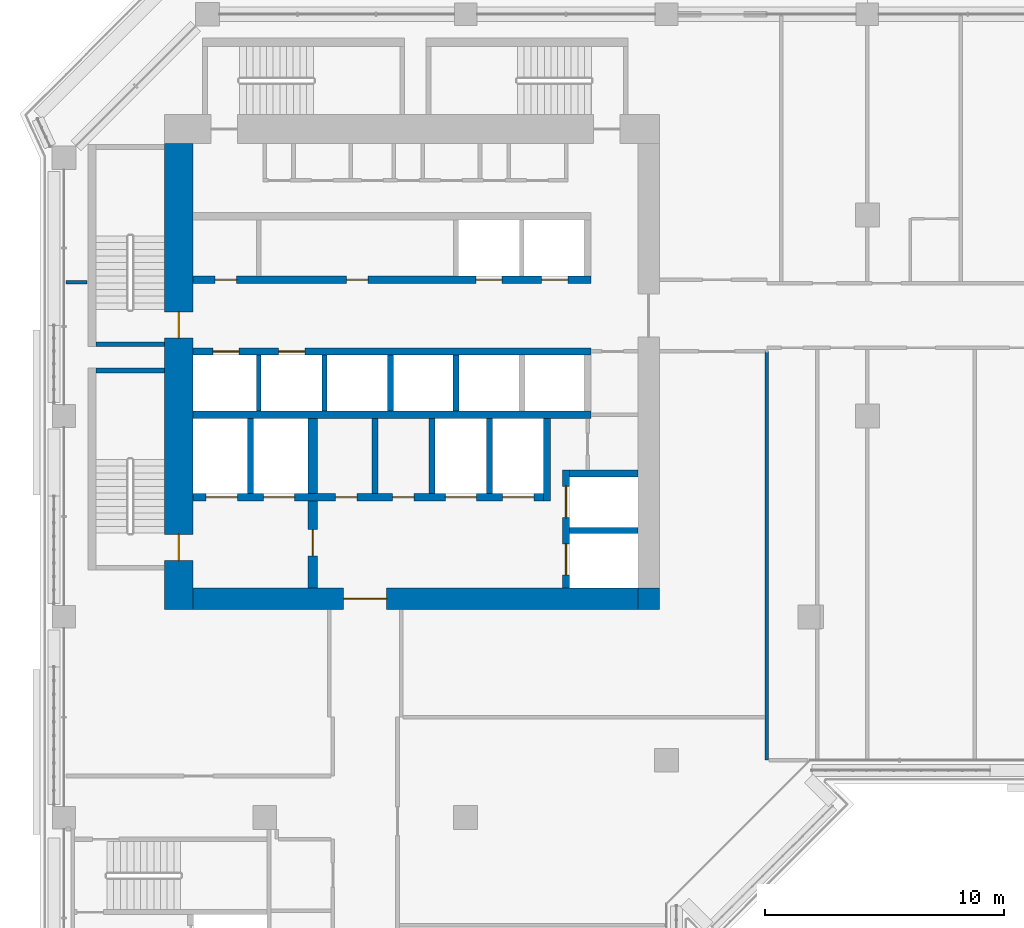
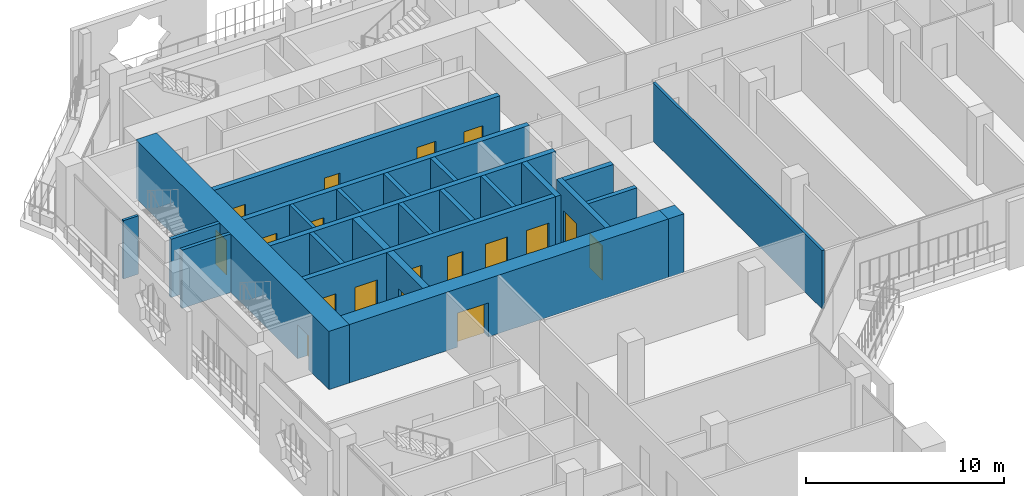
# One storey, part 11 of 23: 25 walls, 18 doors, 18 openings.
"""IFC4 building model written with IfcOpenShell, lengths in metres."""

from ifc_helpers import new_model, si_unit, direction, frame, frame_2d, origin, place, context, subcontext, project, spatial, rectangle, extrude, material, layer, layer_set, type_object, element, fill, save


model = new_model("IFC4")

# Units and contexts
model_context = context("Model", 3, precision=1e-05, world=origin(), true_north=direction((0.0, 1.0)))
body_context = subcontext(model_context, "Body", "Model", "MODEL_VIEW")
ifc_project = project(units=[si_unit("LENGTHUNIT", "METRE"), si_unit("AREAUNIT", "SQUARE_METRE"), si_unit("VOLUMEUNIT", "CUBIC_METRE"), si_unit("PLANEANGLEUNIT", "RADIAN"), si_unit("MASSUNIT", "GRAM", prefix="KILO")], contexts=[model_context])

# Site, building, storey
site_placement = place(None, origin())
site = spatial("IfcSite", under=ifc_project, at=site_placement, CompositionType="ELEMENT")
building_placement = place(site_placement, origin())
building = spatial("IfcBuilding", under=site, at=building_placement, Name="Kawkab Arch Medical Tower", CompositionType="ELEMENT")
storey_placement = place(building_placement, frame((0.0, 0.0, 175.199951171875)))
storey = spatial("IfcBuildingStorey", under=building, at=storey_placement, Name="L40", CompositionType="ELEMENT", Elevation=175.199951171875)

# Wall, openings, doors
ifc_material_1 = material(Name="Concrete C55/67", Category="concrete")
ifc_layer_1 = layer(ifc_material_1, 1.199951171875)
ifc_layer_set_1 = layer_set([ifc_layer_1], Name="Concrete C55/67")
wall_type_1 = type_object("IfcWallType", Name="Core ring wall 1200 C55/67", PredefinedType="SHEAR", material=ifc_layer_set_1)
wall_1_placement = place(storey_placement, frame((4.800048828125, -24.89990234375, 0.0), z_axis=(0.0, 0.0, 1.0), x_axis=(0.0, 1.0, 0.0)))
wall_1 = element("IfcWall", 1, at=wall_1_placement, inside=storey, type_object=wall_type_1, Name="L40 core wall", PredefinedType="SHEAR", context=body_context, shape_type="SweptSolid", body=[
    extrude(rectangle(XDim=19.5, YDim=1.199951171875, at=frame_2d((9.75, 0.0))), origin(), (0.0, 0.0, 1.0), 3.60009765625),
])
opening_1_placement = place(wall_1_placement, frame((11.35009765625, 0.0, 0.0)))
opening_1 = element("IfcOpeningElement", 2, at=opening_1_placement, cuts=wall_1, Name="Opening SD", PredefinedType="OPENING", context=body_context, shape_type="SweptSolid", body=[
    extrude(rectangle(XDim=1.10009765625, YDim=2.10009765625, at=frame_2d((0.550048828125, 1.050048828125))), frame((0.0, 0.60986328125, 0.0), z_axis=(0.0, -1.0, 0.0), x_axis=(1.0, 0.0, 0.0)), (0.0, 0.0, 1.0), 1.219970703125),
])
opening_2_placement = place(wall_1_placement, frame((2.050048828125, 0.0, 0.0)))
opening_2 = element("IfcOpeningElement", 3, at=opening_2_placement, cuts=wall_1, Name="Opening SD", PredefinedType="OPENING", context=body_context, shape_type="SweptSolid", body=[
    extrude(rectangle(XDim=1.10009765625, YDim=2.10009765625, at=frame_2d((0.550048828125, 1.050048828125))), frame((0.0, 0.60986328125, 0.0), z_axis=(0.0, -1.0, 0.0), x_axis=(1.0, 0.0, 0.0)), (0.0, 0.0, 1.0), 1.219970703125),
])
ifc_material_2 = material(Name="Hollow metal fire door leaf")
door_type_1 = type_object("IfcDoorType", Name="Exit stair door 1100", OperationType="SINGLE_SWING_LEFT", PredefinedType="DOOR", material=ifc_material_2)
door_1_placement = place(opening_1_placement, origin())
door_1 = element("IfcDoor", 4, at=door_1_placement, inside=storey, type_object=door_type_1, Name="L40 Exit stair ST1 door", OperationType="SINGLE_SWING_LEFT", OverallHeight=2.10009765625, OverallWidth=1.10009765625, PredefinedType="DOOR", context=body_context, shape_type="SweptSolid", body=[
    extrude(rectangle(XDim=1.10009765625, YDim=2.10009765625, at=frame_2d((0.550048828125, 1.050048828125))), frame((0.0, 0.02490234375, 0.0), z_axis=(0.0, -1.0, 0.0), x_axis=(1.0, 0.0, 0.0)), (0.0, 0.0, 1.0), 0.050048828125),
])
fill(opening_1, door_1)
door_2_placement = place(opening_2_placement, origin())
door_2 = element("IfcDoor", 5, at=door_2_placement, inside=storey, type_object=door_type_1, Name="L40 Exit stair ST2 door", OperationType="SINGLE_SWING_LEFT", OverallHeight=2.10009765625, OverallWidth=1.10009765625, PredefinedType="DOOR", context=body_context, shape_type="SweptSolid", body=[
    extrude(rectangle(XDim=1.10009765625, YDim=2.10009765625, at=frame_2d((0.550048828125, 1.050048828125))), frame((0.0, 0.02490234375, 0.0), z_axis=(0.0, -1.0, 0.0), x_axis=(1.0, 0.0, 0.0)), (0.0, 0.0, 1.0), 0.050048828125),
])
fill(opening_2, door_2)

# Wall, opening, door
ifc_material_3 = material(Name="Concrete C55/67", Category="concrete")
ifc_layer_2 = layer(ifc_material_3, 0.89990234375)
ifc_layer_set_2 = layer_set([ifc_layer_2], Name="Concrete C55/67")
wall_type_2 = type_object("IfcWallType", Name="Core ring wall 900 C55/67", PredefinedType="SHEAR", material=ifc_layer_set_2)
wall_2_placement = place(storey_placement, frame((5.39990234375, -24.449951171875, 0.0), z_axis=(0.0, 0.0, 1.0), x_axis=(1.0, 0.0, 0.0)))
wall_2 = element("IfcWall", 6, at=wall_2_placement, inside=storey, type_object=wall_type_2, Name="L40 core wall", PredefinedType="SHEAR", context=body_context, shape_type="SweptSolid", body=[
    extrude(rectangle(XDim=18.60009765625, YDim=0.89990234375, at=frame_2d((9.300048828125, 0.0))), origin(), (0.0, 0.0, 1.0), 3.60009765625),
])
opening_3_placement = place(wall_2_placement, frame((6.300048828125, 0.0, 0.0)))
opening_3 = element("IfcOpeningElement", 7, at=opening_3_placement, cuts=wall_2, Name="Opening PD", PredefinedType="OPENING", context=body_context, shape_type="SweptSolid", body=[
    extrude(rectangle(XDim=1.800048828125, YDim=2.10009765625, at=frame_2d((0.89990234375, 1.050048828125))), frame((0.0, 0.4599609375, 0.0), z_axis=(0.0, -1.0, 0.0), x_axis=(1.0, 0.0, 0.0)), (0.0, 0.0, 1.0), 0.919921875),
])
ifc_material_4 = material(Name="Hollow metal fire door leaf")
door_type_2 = type_object("IfcDoorType", Name="Core entrance doors 1800", OperationType="DOUBLE_DOOR_SINGLE_SWING", PredefinedType="DOOR", material=ifc_material_4)
door_3_placement = place(opening_3_placement, origin())
door_3 = element("IfcDoor", 8, at=door_3_placement, inside=storey, type_object=door_type_2, Name="L40 South entrance doors", OperationType="DOUBLE_DOOR_SINGLE_SWING", OverallHeight=2.10009765625, OverallWidth=1.800048828125, PredefinedType="DOOR", context=body_context, shape_type="SweptSolid", body=[
    extrude(rectangle(XDim=1.800048828125, YDim=2.10009765625, at=frame_2d((0.89990234375, 1.050048828125))), frame((0.0, 0.02490234375, 0.0), z_axis=(0.0, -1.0, 0.0), x_axis=(1.0, 0.0, 0.0)), (0.0, 0.0, 1.0), 0.050048828125),
])
fill(opening_3, door_3)

# Walls
wall_3_placement = place(storey_placement, frame((24.449951171875, -24.89990234375, 0.0), z_axis=(0.0, 0.0, 1.0), x_axis=(0.0, 1.0, 0.0)))
element("IfcWall", 9, at=wall_3_placement, inside=storey, type_object=wall_type_2, Name="L40 core wall", PredefinedType="SHEAR", context=body_context, shape_type="SweptSolid", body=[
    extrude(rectangle(XDim=0.89990234375, YDim=0.89990234375, at=frame_2d((0.449951171875, 0.0))), origin(), (0.0, 0.0, 1.0), 3.60009765625),
])
ifc_material_5 = material(Name="Concrete C60/75", Category="concrete")
ifc_layer_3 = layer(ifc_material_5, 0.25)
ifc_layer_set_3 = layer_set([ifc_layer_3], Name="Concrete C60/75")
wall_type_3 = type_object("IfcWallType", Name="Core shear wall 250 C60/75", PredefinedType="SHEAR", material=ifc_layer_set_3)
wall_4_placement = place(storey_placement, frame((21.14990234375, -21.60009765625, 0.0), z_axis=(0.0, 0.0, 1.0), x_axis=(1.0, 0.0, 0.0)))
element("IfcWall", 10, at=wall_4_placement, inside=storey, type_object=wall_type_3, Name="L40 core shear wall", PredefinedType="SHEAR", context=body_context, shape_type="SweptSolid", body=[
    extrude(rectangle(XDim=2.85009765625, YDim=0.25, at=frame_2d((1.425048828125, 0.0))), origin(), (0.0, 0.0, 1.0), 3.60009765625),
])
for number, where, z_axis, x_axis, name in (
    (11, (7.800048828125, -20.050048828125, 0.0), (0.0, 0.0, 1.0), (0.0, 1.0, 0.0), "L40 core shear wall"),
    (12, (13.0, -20.050048828125, 0.0), (0.0, 0.0, 1.0), (0.0, 1.0, 0.0), "L40 core shear wall"),
    (13, (15.39990234375, -20.050048828125, 0.0), (0.0, 0.0, 1.0), (0.0, 1.0, 0.0), "L40 core shear wall"),
    (14, (17.800048828125, -20.050048828125, 0.0), (0.0, 0.0, 1.0), (0.0, 1.0, 0.0), "L40 core shear wall"),
):
    element("IfcWall", number, at=place(storey_placement, frame(where, z_axis=z_axis, x_axis=x_axis)), inside=storey, type_object=wall_type_3, Name=name, PredefinedType="SHEAR", context=body_context, shape_type="SweptSolid", body=[
        extrude(rectangle(XDim=3.150146484375, YDim=0.25, at=frame_2d((1.5751953125, 0.0))), origin(), (0.0, 0.0, 1.0), 3.60009765625),
    ])
for number, where, z_axis, x_axis, name in (
    (15, (13.64990234375, -16.60009765625, 0.0), (0.0, 0.0, 1.0), (0.0, 1.0, 0.0), "L40 core shear wall"),
    (16, (16.39990234375, -16.60009765625, 0.0), (0.0, 0.0, 1.0), (0.0, 1.0, 0.0), "L40 core shear wall"),
):
    element("IfcWall", number, at=place(storey_placement, frame(where, z_axis=z_axis, x_axis=x_axis)), inside=storey, type_object=wall_type_3, Name=name, PredefinedType="SHEAR", context=body_context, shape_type="SweptSolid", body=[
        extrude(rectangle(XDim=2.35009765625, YDim=0.25, at=frame_2d((1.175048828125, 0.0))), origin(), (0.0, 0.0, 1.0), 3.60009765625),
    ])

# Wall, openings, doors
ifc_material_6 = material(Name="Concrete C60/75", Category="concrete")
ifc_layer_4 = layer(ifc_material_6, 0.300048828125)
ifc_layer_set_4 = layer_set([ifc_layer_4], Name="Concrete C60/75")
wall_type_4 = type_object("IfcWallType", Name="Core shear wall 300 C60/75", PredefinedType="SHEAR", material=ifc_layer_set_4)
wall_5_placement = place(storey_placement, frame((5.39990234375, -11.10009765625, 0.0), z_axis=(0.0, 0.0, 1.0), x_axis=(1.0, 0.0, 0.0)))
wall_5 = element("IfcWall", 17, at=wall_5_placement, inside=storey, type_object=wall_type_4, Name="L40 core shear wall", PredefinedType="SHEAR", context=body_context, shape_type="SweptSolid", body=[
    extrude(rectangle(XDim=16.650146484375, YDim=0.300048828125, at=frame_2d((8.3251953125, 0.0))), origin(), (0.0, 0.0, 1.0), 3.60009765625),
])
opening_4_placement = place(wall_5_placement, frame((11.824951171875, 0.0, 0.0)))
opening_4 = element("IfcOpeningElement", 18, at=opening_4_placement, cuts=wall_5, Name="Opening LD1", PredefinedType="OPENING", context=body_context, shape_type="SweptSolid", body=[
    extrude(rectangle(XDim=1.10009765625, YDim=2.10009765625, at=frame_2d((0.550048828125, 1.050048828125))), frame((0.0, 0.159912109375, 0.0), z_axis=(0.0, -1.0, 0.0), x_axis=(1.0, 0.0, 0.0)), (0.0, 0.0, 1.0), 0.320068359375),
])
opening_5_placement = place(wall_5_placement, frame((14.574951171875, 0.0, 0.0)))
opening_5 = element("IfcOpeningElement", 19, at=opening_5_placement, cuts=wall_5, Name="Opening LD1", PredefinedType="OPENING", context=body_context, shape_type="SweptSolid", body=[
    extrude(rectangle(XDim=1.10009765625, YDim=2.10009765625, at=frame_2d((0.550048828125, 1.050048828125))), frame((0.0, 0.159912109375, 0.0), z_axis=(0.0, -1.0, 0.0), x_axis=(1.0, 0.0, 0.0)), (0.0, 0.0, 1.0), 0.320068359375),
])
opening_6_placement = place(wall_5_placement, frame((0.925048828125, 0.0, 0.0)))
opening_6 = element("IfcOpeningElement", 20, at=opening_6_placement, cuts=wall_5, Name="Opening RD", PredefinedType="OPENING", context=body_context, shape_type="SweptSolid", body=[
    extrude(rectangle(XDim=0.89990234375, YDim=2.10009765625, at=frame_2d((0.449951171875, 1.050048828125))), frame((0.0, 0.159912109375, 0.0), z_axis=(0.0, -1.0, 0.0), x_axis=(1.0, 0.0, 0.0)), (0.0, 0.0, 1.0), 0.320068359375),
])
opening_7_placement = place(wall_5_placement, frame((6.425048828125, 0.0, 0.0)))
opening_7 = element("IfcOpeningElement", 21, at=opening_7_placement, cuts=wall_5, Name="Opening RD", PredefinedType="OPENING", context=body_context, shape_type="SweptSolid", body=[
    extrude(rectangle(XDim=0.89990234375, YDim=2.10009765625, at=frame_2d((0.449951171875, 1.050048828125))), frame((0.0, 0.159912109375, 0.0), z_axis=(0.0, -1.0, 0.0), x_axis=(1.0, 0.0, 0.0)), (0.0, 0.0, 1.0), 0.320068359375),
])
ifc_material_7 = material(Name="Hollow metal fire door leaf")
door_type_3 = type_object("IfcDoorType", Name="Core room door 900", OperationType="SINGLE_SWING_LEFT", PredefinedType="DOOR", material=ifc_material_7)
door_4_placement = place(opening_6_placement, origin())
door_4 = element("IfcDoor", 22, at=door_4_placement, inside=storey, type_object=door_type_3, Name="L40 Linen store door", OperationType="SINGLE_SWING_LEFT", OverallHeight=2.10009765625, OverallWidth=0.89990234375, PredefinedType="DOOR", context=body_context, shape_type="SweptSolid", body=[
    extrude(rectangle(XDim=0.89990234375, YDim=2.10009765625, at=frame_2d((0.449951171875, 1.050048828125))), frame((0.0, 0.02490234375, 0.0), z_axis=(0.0, -1.0, 0.0), x_axis=(1.0, 0.0, 0.0)), (0.0, 0.0, 1.0), 0.050048828125),
])
fill(opening_6, door_4)
door_5_placement = place(opening_7_placement, origin())
door_5 = element("IfcDoor", 23, at=door_5_placement, inside=storey, type_object=door_type_3, Name="L40 Housekeeping store door", OperationType="SINGLE_SWING_LEFT", OverallHeight=2.10009765625, OverallWidth=0.89990234375, PredefinedType="DOOR", context=body_context, shape_type="SweptSolid", body=[
    extrude(rectangle(XDim=0.89990234375, YDim=2.10009765625, at=frame_2d((0.449951171875, 1.050048828125))), frame((0.0, 0.02490234375, 0.0), z_axis=(0.0, -1.0, 0.0), x_axis=(1.0, 0.0, 0.0)), (0.0, 0.0, 1.0), 0.050048828125),
])
fill(opening_7, door_5)
ifc_material_8 = material(Name="Stainless steel lift door leaf", Category="steel")
door_type_4 = type_object("IfcDoorType", Name="Lift landing door 1100", OperationType="DOUBLE_DOOR_SLIDING", PredefinedType="DOOR", material=ifc_material_8)
door_6_placement = place(opening_4_placement, origin())
door_6 = element("IfcDoor", 24, at=door_6_placement, inside=storey, type_object=door_type_4, Name="L40 Lift landing door MP1", OperationType="DOUBLE_DOOR_SLIDING", OverallHeight=2.10009765625, OverallWidth=1.10009765625, PredefinedType="DOOR", context=body_context, shape_type="SweptSolid", body=[
    extrude(rectangle(XDim=1.10009765625, YDim=2.10009765625, at=frame_2d((0.550048828125, 1.050048828125))), frame((0.0, 0.02490234375, 0.0), z_axis=(0.0, -1.0, 0.0), x_axis=(1.0, 0.0, 0.0)), (0.0, 0.0, 1.0), 0.050048828125),
])
fill(opening_4, door_6)
door_7_placement = place(opening_5_placement, origin())
door_7 = element("IfcDoor", 25, at=door_7_placement, inside=storey, type_object=door_type_4, Name="L40 Lift landing door MP2", OperationType="DOUBLE_DOOR_SLIDING", OverallHeight=2.10009765625, OverallWidth=1.10009765625, PredefinedType="DOOR", context=body_context, shape_type="SweptSolid", body=[
    extrude(rectangle(XDim=1.10009765625, YDim=2.10009765625, at=frame_2d((0.550048828125, 1.050048828125))), frame((0.0, 0.02490234375, 0.0), z_axis=(0.0, -1.0, 0.0), x_axis=(1.0, 0.0, 0.0)), (0.0, 0.0, 1.0), 0.050048828125),
])
fill(opening_5, door_7)

wall_6_placement = place(storey_placement, frame((5.39990234375, -14.10009765625, 0.0), z_axis=(0.0, 0.0, 1.0), x_axis=(1.0, 0.0, 0.0)))
wall_6 = element("IfcWall", 26, at=wall_6_placement, inside=storey, type_object=wall_type_4, Name="L40 core shear wall", PredefinedType="SHEAR", context=body_context, shape_type="SweptSolid", body=[
    extrude(rectangle(XDim=16.650146484375, YDim=0.300048828125, at=frame_2d((8.3251953125, 0.0))), origin(), (0.0, 0.0, 1.0), 3.60009765625),
])
opening_8_placement = place(wall_6_placement, frame((0.824951171875, 0.0, 0.0)))
opening_8 = element("IfcOpeningElement", 27, at=opening_8_placement, cuts=wall_6, Name="Opening LD1", PredefinedType="OPENING", context=body_context, shape_type="SweptSolid", body=[
    extrude(rectangle(XDim=1.10009765625, YDim=2.10009765625, at=frame_2d((0.550048828125, 1.050048828125))), frame((0.0, 0.159912109375, 0.0), z_axis=(0.0, -1.0, 0.0), x_axis=(1.0, 0.0, 0.0)), (0.0, 0.0, 1.0), 0.320068359375),
])
opening_9_placement = place(wall_6_placement, frame((3.574951171875, 0.0, 0.0)))
opening_9 = element("IfcOpeningElement", 28, at=opening_9_placement, cuts=wall_6, Name="Opening LD1", PredefinedType="OPENING", context=body_context, shape_type="SweptSolid", body=[
    extrude(rectangle(XDim=1.10009765625, YDim=2.10009765625, at=frame_2d((0.550048828125, 1.050048828125))), frame((0.0, 0.159912109375, 0.0), z_axis=(0.0, -1.0, 0.0), x_axis=(1.0, 0.0, 0.0)), (0.0, 0.0, 1.0), 0.320068359375),
])
door_8_placement = place(opening_8_placement, origin())
door_8 = element("IfcDoor", 29, at=door_8_placement, inside=storey, type_object=door_type_4, Name="L40 Lift landing door MP3", OperationType="DOUBLE_DOOR_SLIDING", OverallHeight=2.10009765625, OverallWidth=1.10009765625, PredefinedType="DOOR", context=body_context, shape_type="SweptSolid", body=[
    extrude(rectangle(XDim=1.10009765625, YDim=2.10009765625, at=frame_2d((0.550048828125, 1.050048828125))), frame((0.0, 0.02490234375, 0.0), z_axis=(0.0, -1.0, 0.0), x_axis=(1.0, 0.0, 0.0)), (0.0, 0.0, 1.0), 0.050048828125),
])
fill(opening_8, door_8)
door_9_placement = place(opening_9_placement, origin())
door_9 = element("IfcDoor", 30, at=door_9_placement, inside=storey, type_object=door_type_4, Name="L40 Lift landing door MP4", OperationType="DOUBLE_DOOR_SLIDING", OverallHeight=2.10009765625, OverallWidth=1.10009765625, PredefinedType="DOOR", context=body_context, shape_type="SweptSolid", body=[
    extrude(rectangle(XDim=1.10009765625, YDim=2.10009765625, at=frame_2d((0.550048828125, 1.050048828125))), frame((0.0, 0.02490234375, 0.0), z_axis=(0.0, -1.0, 0.0), x_axis=(1.0, 0.0, 0.0)), (0.0, 0.0, 1.0), 0.050048828125),
])
fill(opening_9, door_9)

# Wall
wall_7_placement = place(storey_placement, frame((5.39990234375, -16.75, 0.0), z_axis=(0.0, 0.0, 1.0), x_axis=(1.0, 0.0, 0.0)))
element("IfcWall", 31, at=wall_7_placement, inside=storey, type_object=wall_type_4, Name="L40 core shear wall", PredefinedType="SHEAR", context=body_context, shape_type="SweptSolid", body=[
    extrude(rectangle(XDim=16.650146484375, YDim=0.300048828125, at=frame_2d((8.3251953125, 0.0))), origin(), (0.0, 0.0, 1.0), 3.60009765625),
])

# Wall, openings, doors
wall_8_placement = place(storey_placement, frame((5.39990234375, -20.199951171875, 0.0), z_axis=(0.0, 0.0, 1.0), x_axis=(1.0, 0.0, 0.0)))
wall_8 = element("IfcWall", 32, at=wall_8_placement, inside=storey, type_object=wall_type_4, Name="L40 core shear wall", PredefinedType="SHEAR", context=body_context, shape_type="SweptSolid", body=[
    extrude(rectangle(XDim=14.650146484375, YDim=0.300048828125, at=frame_2d((7.3251953125, 0.0))), origin(), (0.0, 0.0, 1.0), 3.60009765625),
])
opening_10_placement = place(wall_8_placement, frame((10.550048828125, 0.0, 0.0)))
opening_10 = element("IfcOpeningElement", 33, at=opening_10_placement, cuts=wall_8, Name="Opening LD2", PredefinedType="OPENING", context=body_context, shape_type="SweptSolid", body=[
    extrude(rectangle(XDim=1.300048828125, YDim=2.10009765625, at=frame_2d((0.64990234375, 1.050048828125))), frame((0.0, 0.159912109375, 0.0), z_axis=(0.0, -1.0, 0.0), x_axis=(1.0, 0.0, 0.0)), (0.0, 0.0, 1.0), 0.320068359375),
])
opening_11_placement = place(wall_8_placement, frame((12.949951171875, 0.0, 0.0)))
opening_11 = element("IfcOpeningElement", 34, at=opening_11_placement, cuts=wall_8, Name="Opening LD2", PredefinedType="OPENING", context=body_context, shape_type="SweptSolid", body=[
    extrude(rectangle(XDim=1.300048828125, YDim=2.10009765625, at=frame_2d((0.64990234375, 1.050048828125))), frame((0.0, 0.159912109375, 0.0), z_axis=(0.0, -1.0, 0.0), x_axis=(1.0, 0.0, 0.0)), (0.0, 0.0, 1.0), 0.320068359375),
])
opening_12_placement = place(wall_8_placement, frame((0.550048828125, 0.0, 0.0)))
opening_12 = element("IfcOpeningElement", 35, at=opening_12_placement, cuts=wall_8, Name="Opening LD2", PredefinedType="OPENING", context=body_context, shape_type="SweptSolid", body=[
    extrude(rectangle(XDim=1.300048828125, YDim=2.10009765625, at=frame_2d((0.64990234375, 1.050048828125))), frame((0.0, 0.159912109375, 0.0), z_axis=(0.0, -1.0, 0.0), x_axis=(1.0, 0.0, 0.0)), (0.0, 0.0, 1.0), 0.320068359375),
])
opening_13_placement = place(wall_8_placement, frame((2.949951171875, 0.0, 0.0)))
opening_13 = element("IfcOpeningElement", 36, at=opening_13_placement, cuts=wall_8, Name="Opening LD2", PredefinedType="OPENING", context=body_context, shape_type="SweptSolid", body=[
    extrude(rectangle(XDim=1.300048828125, YDim=2.10009765625, at=frame_2d((0.64990234375, 1.050048828125))), frame((0.0, 0.159912109375, 0.0), z_axis=(0.0, -1.0, 0.0), x_axis=(1.0, 0.0, 0.0)), (0.0, 0.0, 1.0), 0.320068359375),
])
opening_14_placement = place(wall_8_placement, frame((5.949951171875, 0.0, 0.0)))
opening_14 = element("IfcOpeningElement", 37, at=opening_14_placement, cuts=wall_8, Name="Opening RD", PredefinedType="OPENING", context=body_context, shape_type="SweptSolid", body=[
    extrude(rectangle(XDim=0.89990234375, YDim=2.10009765625, at=frame_2d((0.449951171875, 1.050048828125))), frame((0.0, 0.159912109375, 0.0), z_axis=(0.0, -1.0, 0.0), x_axis=(1.0, 0.0, 0.0)), (0.0, 0.0, 1.0), 0.320068359375),
])
opening_15_placement = place(wall_8_placement, frame((8.35009765625, 0.0, 0.0)))
opening_15 = element("IfcOpeningElement", 38, at=opening_15_placement, cuts=wall_8, Name="Opening RD", PredefinedType="OPENING", context=body_context, shape_type="SweptSolid", body=[
    extrude(rectangle(XDim=0.89990234375, YDim=2.10009765625, at=frame_2d((0.449951171875, 1.050048828125))), frame((0.0, 0.159912109375, 0.0), z_axis=(0.0, -1.0, 0.0), x_axis=(1.0, 0.0, 0.0)), (0.0, 0.0, 1.0), 0.320068359375),
])
door_10_placement = place(opening_14_placement, origin())
door_10 = element("IfcDoor", 39, at=door_10_placement, inside=storey, type_object=door_type_3, Name="L40 Clean utility room door", OperationType="SINGLE_SWING_LEFT", OverallHeight=2.10009765625, OverallWidth=0.89990234375, PredefinedType="DOOR", context=body_context, shape_type="SweptSolid", body=[
    extrude(rectangle(XDim=0.89990234375, YDim=2.10009765625, at=frame_2d((0.449951171875, 1.050048828125))), frame((0.0, 0.02490234375, 0.0), z_axis=(0.0, -1.0, 0.0), x_axis=(1.0, 0.0, 0.0)), (0.0, 0.0, 1.0), 0.050048828125),
])
fill(opening_14, door_10)
door_11_placement = place(opening_15_placement, origin())
door_11 = element("IfcDoor", 40, at=door_11_placement, inside=storey, type_object=door_type_3, Name="L40 Dirty utility room door", OperationType="SINGLE_SWING_LEFT", OverallHeight=2.10009765625, OverallWidth=0.89990234375, PredefinedType="DOOR", context=body_context, shape_type="SweptSolid", body=[
    extrude(rectangle(XDim=0.89990234375, YDim=2.10009765625, at=frame_2d((0.449951171875, 1.050048828125))), frame((0.0, 0.02490234375, 0.0), z_axis=(0.0, -1.0, 0.0), x_axis=(1.0, 0.0, 0.0)), (0.0, 0.0, 1.0), 0.050048828125),
])
fill(opening_15, door_11)
ifc_material_9 = material(Name="Stainless steel lift door leaf", Category="steel")
door_type_5 = type_object("IfcDoorType", Name="Lift landing door 1300", OperationType="DOUBLE_DOOR_SLIDING", PredefinedType="DOOR", material=ifc_material_9)
door_12_placement = place(opening_10_placement, origin())
door_12 = element("IfcDoor", 41, at=door_12_placement, inside=storey, type_object=door_type_5, Name="L40 Lift landing door BD3", OperationType="DOUBLE_DOOR_SLIDING", OverallHeight=2.10009765625, OverallWidth=1.300048828125, PredefinedType="DOOR", context=body_context, shape_type="SweptSolid", body=[
    extrude(rectangle(XDim=1.300048828125, YDim=2.10009765625, at=frame_2d((0.64990234375, 1.050048828125))), frame((0.0, 0.02490234375, 0.0), z_axis=(0.0, -1.0, 0.0), x_axis=(1.0, 0.0, 0.0)), (0.0, 0.0, 1.0), 0.050048828125),
])
fill(opening_10, door_12)
door_13_placement = place(opening_11_placement, origin())
door_13 = element("IfcDoor", 42, at=door_13_placement, inside=storey, type_object=door_type_5, Name="L40 Lift landing door BD4", OperationType="DOUBLE_DOOR_SLIDING", OverallHeight=2.10009765625, OverallWidth=1.300048828125, PredefinedType="DOOR", context=body_context, shape_type="SweptSolid", body=[
    extrude(rectangle(XDim=1.300048828125, YDim=2.10009765625, at=frame_2d((0.64990234375, 1.050048828125))), frame((0.0, 0.02490234375, 0.0), z_axis=(0.0, -1.0, 0.0), x_axis=(1.0, 0.0, 0.0)), (0.0, 0.0, 1.0), 0.050048828125),
])
fill(opening_11, door_13)
door_14_placement = place(opening_12_placement, origin())
door_14 = element("IfcDoor", 43, at=door_14_placement, inside=storey, type_object=door_type_5, Name="L40 Lift landing door FL1", OperationType="DOUBLE_DOOR_SLIDING", OverallHeight=2.10009765625, OverallWidth=1.300048828125, PredefinedType="DOOR", context=body_context, shape_type="SweptSolid", body=[
    extrude(rectangle(XDim=1.300048828125, YDim=2.10009765625, at=frame_2d((0.64990234375, 1.050048828125))), frame((0.0, 0.02490234375, 0.0), z_axis=(0.0, -1.0, 0.0), x_axis=(1.0, 0.0, 0.0)), (0.0, 0.0, 1.0), 0.050048828125),
])
fill(opening_12, door_14)
door_15_placement = place(opening_13_placement, origin())
door_15 = element("IfcDoor", 44, at=door_15_placement, inside=storey, type_object=door_type_5, Name="L40 Lift landing door FL2", OperationType="DOUBLE_DOOR_SLIDING", OverallHeight=2.10009765625, OverallWidth=1.300048828125, PredefinedType="DOOR", context=body_context, shape_type="SweptSolid", body=[
    extrude(rectangle(XDim=1.300048828125, YDim=2.10009765625, at=frame_2d((0.64990234375, 1.050048828125))), frame((0.0, 0.02490234375, 0.0), z_axis=(0.0, -1.0, 0.0), x_axis=(1.0, 0.0, 0.0)), (0.0, 0.0, 1.0), 0.050048828125),
])
fill(opening_13, door_15)

# Walls
wall_9_placement = place(storey_placement, frame((20.199951171875, -20.35009765625, 0.0), z_axis=(0.0, 0.0, 1.0), x_axis=(0.0, 1.0, 0.0)))
element("IfcWall", 45, at=wall_9_placement, inside=storey, type_object=wall_type_4, Name="L40 core shear wall", PredefinedType="SHEAR", context=body_context, shape_type="SweptSolid", body=[
    extrude(rectangle(XDim=3.4501953125, YDim=0.300048828125, at=frame_2d((1.72509765625, 0.0))), origin(), (0.0, 0.0, 1.0), 3.60009765625),
])
wall_10_placement = place(storey_placement, frame((21.14990234375, -19.199951171875, 0.0), z_axis=(0.0, 0.0, 1.0), x_axis=(1.0, 0.0, 0.0)))
element("IfcWall", 46, at=wall_10_placement, inside=storey, type_object=wall_type_4, Name="L40 core shear wall", PredefinedType="SHEAR", context=body_context, shape_type="SweptSolid", body=[
    extrude(rectangle(XDim=2.85009765625, YDim=0.300048828125, at=frame_2d((1.425048828125, 0.0))), origin(), (0.0, 0.0, 1.0), 3.60009765625),
])

# Wall, openings, doors
wall_11_placement = place(storey_placement, frame((21.0, -24.0, 0.0), z_axis=(0.0, 0.0, 1.0), x_axis=(0.0, 1.0, 0.0)))
wall_11 = element("IfcWall", 47, at=wall_11_placement, inside=storey, type_object=wall_type_4, Name="L40 core shear wall", PredefinedType="SHEAR", context=body_context, shape_type="SweptSolid", body=[
    extrude(rectangle(XDim=4.949951171875, YDim=0.300048828125, at=frame_2d((2.47509765625, 0.0))), origin(), (0.0, 0.0, 1.0), 3.60009765625),
])
opening_16_placement = place(wall_11_placement, frame((2.949951171875, 0.0, 0.0)))
opening_16 = element("IfcOpeningElement", 48, at=opening_16_placement, cuts=wall_11, Name="Opening LD2", PredefinedType="OPENING", context=body_context, shape_type="SweptSolid", body=[
    extrude(rectangle(XDim=1.300048828125, YDim=2.10009765625, at=frame_2d((0.64990234375, 1.050048828125))), frame((0.0, 0.159912109375, 0.0), z_axis=(0.0, -1.0, 0.0), x_axis=(1.0, 0.0, 0.0)), (0.0, 0.0, 1.0), 0.320068359375),
])
opening_17_placement = place(wall_11_placement, frame((0.550048828125, 0.0, 0.0)))
opening_17 = element("IfcOpeningElement", 49, at=opening_17_placement, cuts=wall_11, Name="Opening LD2", PredefinedType="OPENING", context=body_context, shape_type="SweptSolid", body=[
    extrude(rectangle(XDim=1.300048828125, YDim=2.10009765625, at=frame_2d((0.64990234375, 1.050048828125))), frame((0.0, 0.159912109375, 0.0), z_axis=(0.0, -1.0, 0.0), x_axis=(1.0, 0.0, 0.0)), (0.0, 0.0, 1.0), 0.320068359375),
])
door_16_placement = place(opening_16_placement, origin())
door_16 = element("IfcDoor", 50, at=door_16_placement, inside=storey, type_object=door_type_5, Name="L40 Lift landing door BD1", OperationType="DOUBLE_DOOR_SLIDING", OverallHeight=2.10009765625, OverallWidth=1.300048828125, PredefinedType="DOOR", context=body_context, shape_type="SweptSolid", body=[
    extrude(rectangle(XDim=1.300048828125, YDim=2.10009765625, at=frame_2d((0.64990234375, 1.050048828125))), frame((0.0, 0.02490234375, 0.0), z_axis=(0.0, -1.0, 0.0), x_axis=(1.0, 0.0, 0.0)), (0.0, 0.0, 1.0), 0.050048828125),
])
fill(opening_16, door_16)
door_17_placement = place(opening_17_placement, origin())
door_17 = element("IfcDoor", 51, at=door_17_placement, inside=storey, type_object=door_type_5, Name="L40 Lift landing door BD2", OperationType="DOUBLE_DOOR_SLIDING", OverallHeight=2.10009765625, OverallWidth=1.300048828125, PredefinedType="DOOR", context=body_context, shape_type="SweptSolid", body=[
    extrude(rectangle(XDim=1.300048828125, YDim=2.10009765625, at=frame_2d((0.64990234375, 1.050048828125))), frame((0.0, 0.02490234375, 0.0), z_axis=(0.0, -1.0, 0.0), x_axis=(1.0, 0.0, 0.0)), (0.0, 0.0, 1.0), 0.050048828125),
])
fill(opening_17, door_17)

# Wall, opening, door
ifc_material_10 = material(Name="Concrete C60/75", Category="concrete")
ifc_layer_5 = layer(ifc_material_10, 0.39990234375)
ifc_layer_set_5 = layer_set([ifc_layer_5], Name="Concrete C60/75")
wall_type_5 = type_object("IfcWallType", Name="Core shear wall 400 C60/75", PredefinedType="SHEAR", material=ifc_layer_set_5)
wall_12_placement = place(storey_placement, frame((10.39990234375, -24.0, 0.0), z_axis=(0.0, 0.0, 1.0), x_axis=(0.0, 1.0, 0.0)))
wall_12 = element("IfcWall", 52, at=wall_12_placement, inside=storey, type_object=wall_type_5, Name="L40 core shear wall", PredefinedType="SHEAR", context=body_context, shape_type="SweptSolid", body=[
    extrude(rectangle(XDim=3.64990234375, YDim=0.39990234375, at=frame_2d((1.824951171875, 0.0))), origin(), (0.0, 0.0, 1.0), 3.60009765625),
])
opening_18_placement = place(wall_12_placement, frame((1.35009765625, 0.0, 0.0)))
opening_18 = element("IfcOpeningElement", 53, at=opening_18_placement, cuts=wall_12, Name="Opening FD", PredefinedType="OPENING", context=body_context, shape_type="SweptSolid", body=[
    extrude(rectangle(XDim=1.10009765625, YDim=2.10009765625, at=frame_2d((0.550048828125, 1.050048828125))), frame((0.0, 0.2099609375, 0.0), z_axis=(0.0, -1.0, 0.0), x_axis=(1.0, 0.0, 0.0)), (0.0, 0.0, 1.0), 0.419921875),
])
ifc_material_11 = material(Name="Hollow metal fire door leaf")
door_type_6 = type_object("IfcDoorType", Name="Firefighting lobby door 1100", OperationType="SINGLE_SWING_LEFT", PredefinedType="DOOR", material=ifc_material_11)
door_18_placement = place(opening_18_placement, origin())
door_18 = element("IfcDoor", 54, at=door_18_placement, inside=storey, type_object=door_type_6, Name="L40 Firefighting lobby door", OperationType="SINGLE_SWING_LEFT", OverallHeight=2.10009765625, OverallWidth=1.10009765625, PredefinedType="DOOR", context=body_context, shape_type="SweptSolid", body=[
    extrude(rectangle(XDim=1.10009765625, YDim=2.10009765625, at=frame_2d((0.550048828125, 1.050048828125))), frame((0.0, 0.02490234375, 0.0), z_axis=(0.0, -1.0, 0.0), x_axis=(1.0, 0.0, 0.0)), (0.0, 0.0, 1.0), 0.050048828125),
])
fill(opening_18, door_18)

# Walls
wall_13_placement = place(storey_placement, frame((10.39990234375, -20.050048828125, 0.0), z_axis=(0.0, 0.0, 1.0), x_axis=(0.0, 1.0, 0.0)))
element("IfcWall", 55, at=wall_13_placement, inside=storey, type_object=wall_type_5, Name="L40 core shear wall", PredefinedType="SHEAR", context=body_context, shape_type="SweptSolid", body=[
    extrude(rectangle(XDim=3.150146484375, YDim=0.39990234375, at=frame_2d((1.5751953125, 0.0))), origin(), (0.0, 0.0, 1.0), 3.60009765625),
])
ifc_material_12 = material(Name="Dense concrete blockwork", Category="masonry")
ifc_layer_6 = layer(ifc_material_12, 0.199951171875)
ifc_layer_set_6 = layer_set([ifc_layer_6], Name="Dense concrete blockwork")
wall_type_6 = type_object("IfcWallType", Name="Lift shaft partition 200", PredefinedType="PARTITIONING", material=ifc_layer_set_6)
for number, where, z_axis, x_axis, name in (
    (56, (8.14990234375, -16.60009765625, 0.0), (0.0, 0.0, 1.0), (0.0, 1.0, 0.0), "L40 lift shaft partition"),
    (57, (10.89990234375, -16.60009765625, 0.0), (0.0, 0.0, 1.0), (0.0, 1.0, 0.0), "L40 lift shaft partition"),
):
    element("IfcWall", number, at=place(storey_placement, frame(where, z_axis=z_axis, x_axis=x_axis)), inside=storey, type_object=wall_type_6, Name=name, PredefinedType="PARTITIONING", context=body_context, shape_type="SweptSolid", body=[
        extrude(rectangle(XDim=2.35009765625, YDim=0.199951171875, at=frame_2d((1.175048828125, 0.0))), origin(), (0.0, 0.0, 1.0), 3.60009765625),
    ])
ifc_material_13 = material(Name="Gypsum board partition on steel studs, mineral wool", Category="steel")
ifc_layer_7 = layer(ifc_material_13, 0.14990234375)
ifc_layer_set_7 = layer_set([ifc_layer_7], Name="Gypsum board partition on steel studs, mineral wool")
wall_type_7 = type_object("IfcWallType", Name="Partition 150", PredefinedType="PARTITIONING", material=ifc_layer_set_7)
wall_14_placement = place(storey_placement, frame((0.080078125, -11.199951171875, 0.0), z_axis=(0.0, 0.0, 1.0), x_axis=(1.0, 0.0, 0.0)))
element("IfcWall", 58, at=wall_14_placement, inside=storey, type_object=wall_type_7, Name="Partition 150 w032", PredefinedType="PARTITIONING", context=body_context, shape_type="SweptSolid", body=[
    extrude(rectangle(XDim=0.889892578125, YDim=0.14990234375, at=frame_2d((0.44482421875, 0.0))), origin(), (0.0, 0.0, 1.0), 3.60009765625),
])
wall_15_placement = place(storey_placement, frame((29.39990234375, -31.197998046875, 0.0), z_axis=(0.0, 0.0, 1.0), x_axis=(0.0, 1.0, 0.0)))
element("IfcWall", 59, at=wall_15_placement, inside=storey, type_object=wall_type_7, Name="Partition 150 w045", PredefinedType="PARTITIONING", context=body_context, shape_type="SweptSolid", body=[
    extrude(rectangle(XDim=17.097900390625, YDim=0.14990234375, at=frame_2d((8.548828125, 0.0))), origin(), (0.0, 0.0, 1.0), 3.60009765625),
])
ifc_material_14 = material(Name="Concrete C50/60", Category="concrete")
ifc_layer_8 = layer(ifc_material_14, 0.199951171875)
ifc_layer_set_8 = layer_set([ifc_layer_8], Name="Concrete C50/60")
wall_type_8 = type_object("IfcWallType", Name="Stair enclosure wall 200 C50/60", PredefinedType="SHEAR", material=ifc_layer_set_8)
for number, where, z_axis, x_axis, name in (
    (60, (1.35009765625, -13.800048828125, 0.0), (0.0, 0.0, 1.0), (1.0, 0.0, 0.0), "L40 stair enclosure wall"),
    (61, (1.35009765625, -14.89990234375, 0.0), (0.0, 0.0, 1.0), (1.0, 0.0, 0.0), "L40 stair enclosure wall"),
):
    element("IfcWall", number, at=place(storey_placement, frame(where, z_axis=z_axis, x_axis=x_axis)), inside=storey, type_object=wall_type_8, Name=name, PredefinedType="SHEAR", context=body_context, shape_type="SweptSolid", body=[
        extrude(rectangle(XDim=2.849853515625, YDim=0.199951171875, at=frame_2d((1.4248046875, 0.0))), origin(), (0.0, 0.0, 1.0), 3.60009765625),
    ])

save(model, "model.ifc")
